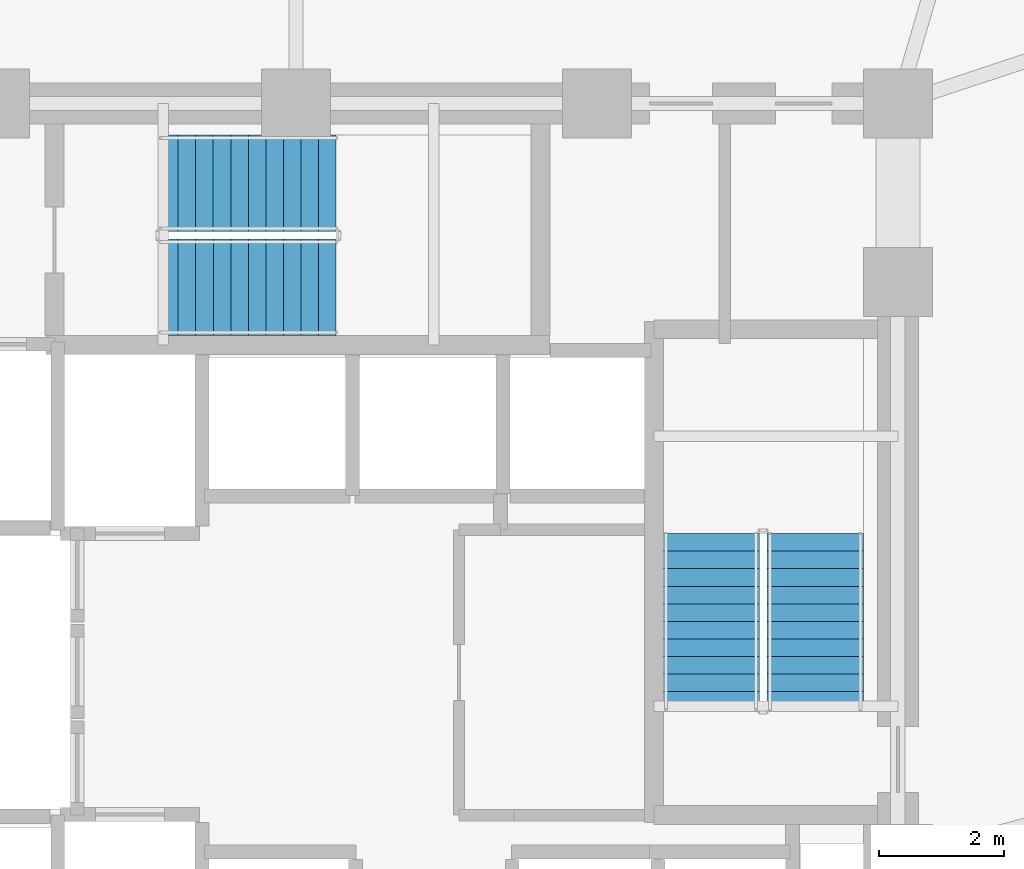
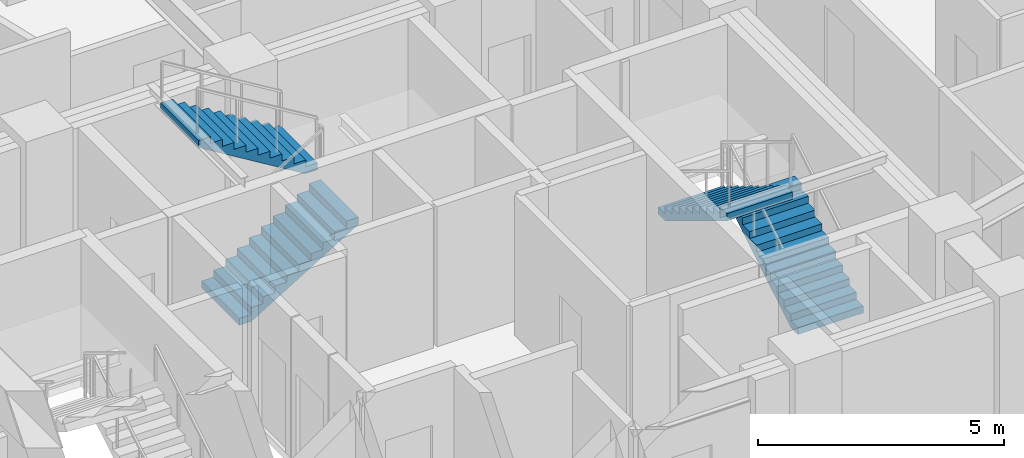
# One storey, part 8 of 13: 4 stair flights, 2 elements without a shape of their own.
"""IFC4 building model written with IfcOpenShell, lengths in metres."""

from ifc_helpers import new_model, si_unit, direction, frame, origin, place, context, subcontext, project, spatial, polyline, outline, extrude, material, type_object, element, aggregate, save


model = new_model("IFC4")

# Units and contexts
model_context = context("Model", 3, precision=1e-05, world=origin(), true_north=direction((0.0, 1.0)))
body_context = subcontext(model_context, "Body", "Model", "MODEL_VIEW")
ifc_project = project(units=[si_unit("LENGTHUNIT", "METRE"), si_unit("AREAUNIT", "SQUARE_METRE"), si_unit("VOLUMEUNIT", "CUBIC_METRE"), si_unit("PLANEANGLEUNIT", "RADIAN"), si_unit("MASSUNIT", "GRAM", prefix="KILO")], contexts=[model_context])

# Site, building, storey
site_placement = place(None, origin())
site = spatial("IfcSite", under=ifc_project, at=site_placement, CompositionType="ELEMENT")
building_placement = place(site_placement, origin())
building = spatial("IfcBuilding", under=site, at=building_placement, Name="Vantalir Tower", CompositionType="ELEMENT")
storey_placement = place(building_placement, frame((0.0, 0.0, 87.0)))
storey = spatial("IfcBuildingStorey", under=building, at=storey_placement, Name="L21", CompositionType="ELEMENT", Elevation=87.0)

# Stair, stair flights
ifc_material = material(Name="Concrete C40/50", Category="concrete")
stair_type = type_object("IfcStairType", Name="STR-CORE-1450", PredefinedType="HALF_TURN_STAIR", material=ifc_material)
stair_1_placement = place(storey_placement, origin())
stair_1 = element("IfcStair", 1, at=stair_1_placement, inside=storey, type_object=stair_type, Name="L21 Core Exit Stair 2", PredefinedType="HALF_TURN_STAIR")
stair_flight_type = type_object("IfcStairFlightType", Name="FLT-CORE-1450", PredefinedType="STRAIGHT", material=ifc_material)
stair_flight_1_placement = place(storey_placement, frame((39.780029296875, 22.7900390625, 0.0), z_axis=(0.0, 0.0, 1.0), x_axis=(0.0, 1.0, 0.0)))
stair_flight_1 = element("IfcStairFlight", 2, at=stair_flight_1_placement, type_object=stair_flight_type, Name="ST2 flight 1", NumberOfRisers=11, NumberOfTreads=10, PredefinedType="STRAIGHT", RiserHeight=0.170454545, TreadLength=0.28, context=body_context, shape_type="SweptSolid", body=[
    extrude(outline(polyline([(0.0, 0.0), (0.0, 0.17041015625), (0.280029296875, 0.17041015625), (0.280029296875, 0.3408203125), (0.56005859375, 0.3408203125), (0.56005859375, 0.511474609375), (0.840087890625, 0.511474609375), (0.840087890625, 0.681884765625), (1.1201171875, 0.681884765625), (1.1201171875, 0.852294921875), (1.39990234375, 0.852294921875), (1.39990234375, 1.022705078125), (1.679931640625, 1.022705078125), (1.679931640625, 1.193115234375), (1.9599609375, 1.193115234375), (1.9599609375, 1.363525390625), (2.239990234375, 1.363525390625), (2.239990234375, 1.5341796875), (2.52001953125, 1.5341796875), (2.52001953125, 1.70458984375), (2.800048828125, 1.70458984375), (2.800048828125, 1.875), (2.800048828125, 1.529052734375), (0.288330078125, 0.0), (0.0, 0.0)])), frame((0.0, 0.77001953125, 0.0), z_axis=(0.0, -1.0, 0.0), x_axis=(1.0, 0.0, 0.0)), (0.0, 0.0, 1.0), 1.5400390625),
])
stair_flight_2_placement = place(storey_placement, frame((38.1201171875, 25.590087890625, 1.875), z_axis=(0.0, 0.0, 1.0), x_axis=(0.0, -1.0, 0.0)))
stair_flight_2 = element("IfcStairFlight", 3, at=stair_flight_2_placement, type_object=stair_flight_type, Name="ST2 flight 2", NumberOfRisers=11, NumberOfTreads=10, PredefinedType="STRAIGHT", RiserHeight=0.170454545, TreadLength=0.28, context=body_context, shape_type="SweptSolid", body=[
    extrude(outline(polyline([(0.0, 0.0), (0.0, 0.17041015625), (0.280029296875, 0.17041015625), (0.280029296875, 0.3408203125), (0.56005859375, 0.3408203125), (0.56005859375, 0.511474609375), (0.840087890625, 0.511474609375), (0.840087890625, 0.681884765625), (1.1201171875, 0.681884765625), (1.1201171875, 0.852294921875), (1.39990234375, 0.852294921875), (1.39990234375, 1.022705078125), (1.679931640625, 1.022705078125), (1.679931640625, 1.193115234375), (1.9599609375, 1.193115234375), (1.9599609375, 1.363525390625), (2.239990234375, 1.363525390625), (2.239990234375, 1.5341796875), (2.52001953125, 1.5341796875), (2.52001953125, 1.70458984375), (2.800048828125, 1.70458984375), (2.800048828125, 1.875), (2.800048828125, 1.529052734375), (0.288330078125, 0.0), (0.0, 0.0)])), frame((0.0, 0.77001953125, 0.0), z_axis=(0.0, -1.0, 0.0), x_axis=(1.0, 0.0, 0.0)), (0.0, 0.0, 1.0), 1.5400390625),
])
aggregate(stair_1, [stair_flight_1, stair_flight_2])

stair_2_placement = place(storey_placement, origin())
stair_2 = element("IfcStair", 4, at=stair_2_placement, inside=storey, type_object=stair_type, Name="L21 Core Exit Stair 3", PredefinedType="HALF_TURN_STAIR")
stair_flight_3_placement = place(storey_placement, frame((29.340087890625, 29.52001953125, 0.0), z_axis=(0.0, 0.0, 1.0), x_axis=(1.0, 0.0, 0.0)))
stair_flight_3 = element("IfcStairFlight", 5, at=stair_flight_3_placement, type_object=stair_flight_type, Name="ST3 flight 1", NumberOfRisers=11, NumberOfTreads=10, PredefinedType="STRAIGHT", RiserHeight=0.170454545, TreadLength=0.28, context=body_context, shape_type="SweptSolid", body=[
    extrude(outline(polyline([(0.0, 0.0), (0.0, 0.17041015625), (0.280029296875, 0.17041015625), (0.280029296875, 0.3408203125), (0.56005859375, 0.3408203125), (0.56005859375, 0.511474609375), (0.840087890625, 0.511474609375), (0.840087890625, 0.681884765625), (1.1201171875, 0.681884765625), (1.1201171875, 0.852294921875), (1.39990234375, 0.852294921875), (1.39990234375, 1.022705078125), (1.679931640625, 1.022705078125), (1.679931640625, 1.193115234375), (1.9599609375, 1.193115234375), (1.9599609375, 1.363525390625), (2.239990234375, 1.363525390625), (2.239990234375, 1.5341796875), (2.52001953125, 1.5341796875), (2.52001953125, 1.70458984375), (2.800048828125, 1.70458984375), (2.800048828125, 1.875), (2.800048828125, 1.529052734375), (0.288330078125, 0.0), (0.0, 0.0)])), frame((0.0, 0.77001953125, 0.0), z_axis=(0.0, -1.0, 0.0), x_axis=(1.0, 0.0, 0.0)), (0.0, 0.0, 1.0), 1.5400390625),
])
stair_flight_4_placement = place(storey_placement, frame((32.139892578125, 31.179931640625, 1.875), z_axis=(0.0, 0.0, 1.0), x_axis=(-1.0, 0.0, 0.0)))
stair_flight_4 = element("IfcStairFlight", 6, at=stair_flight_4_placement, type_object=stair_flight_type, Name="ST3 flight 2", NumberOfRisers=11, NumberOfTreads=10, PredefinedType="STRAIGHT", RiserHeight=0.170454545, TreadLength=0.28, context=body_context, shape_type="SweptSolid", body=[
    extrude(outline(polyline([(0.0, 0.0), (0.0, 0.17041015625), (0.280029296875, 0.17041015625), (0.280029296875, 0.3408203125), (0.56005859375, 0.3408203125), (0.56005859375, 0.511474609375), (0.840087890625, 0.511474609375), (0.840087890625, 0.681884765625), (1.1201171875, 0.681884765625), (1.1201171875, 0.852294921875), (1.39990234375, 0.852294921875), (1.39990234375, 1.022705078125), (1.679931640625, 1.022705078125), (1.679931640625, 1.193115234375), (1.9599609375, 1.193115234375), (1.9599609375, 1.363525390625), (2.239990234375, 1.363525390625), (2.239990234375, 1.5341796875), (2.52001953125, 1.5341796875), (2.52001953125, 1.70458984375), (2.800048828125, 1.70458984375), (2.800048828125, 1.875), (2.800048828125, 1.529052734375), (0.288330078125, 0.0), (0.0, 0.0)])), frame((0.0, 0.77001953125, 0.0), z_axis=(0.0, -1.0, 0.0), x_axis=(1.0, 0.0, 0.0)), (0.0, 0.0, 1.0), 1.5400390625),
])
aggregate(stair_2, [stair_flight_3, stair_flight_4])

save(model, "model.ifc")
